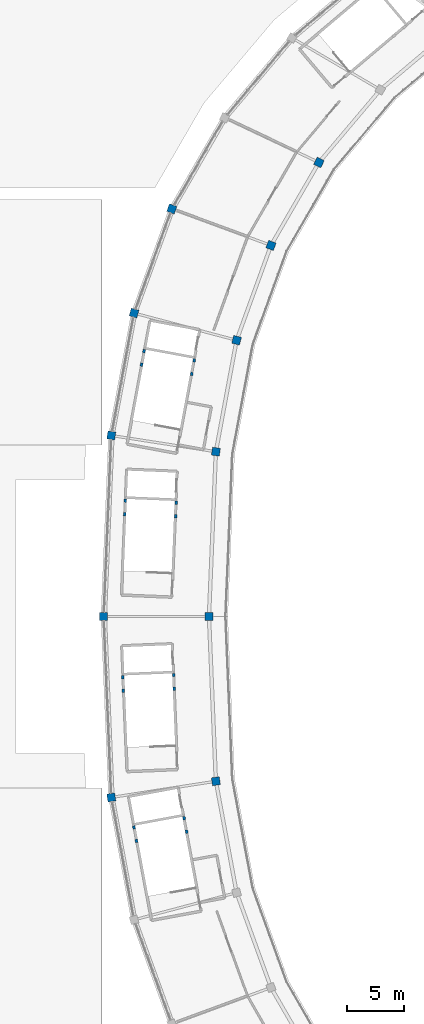
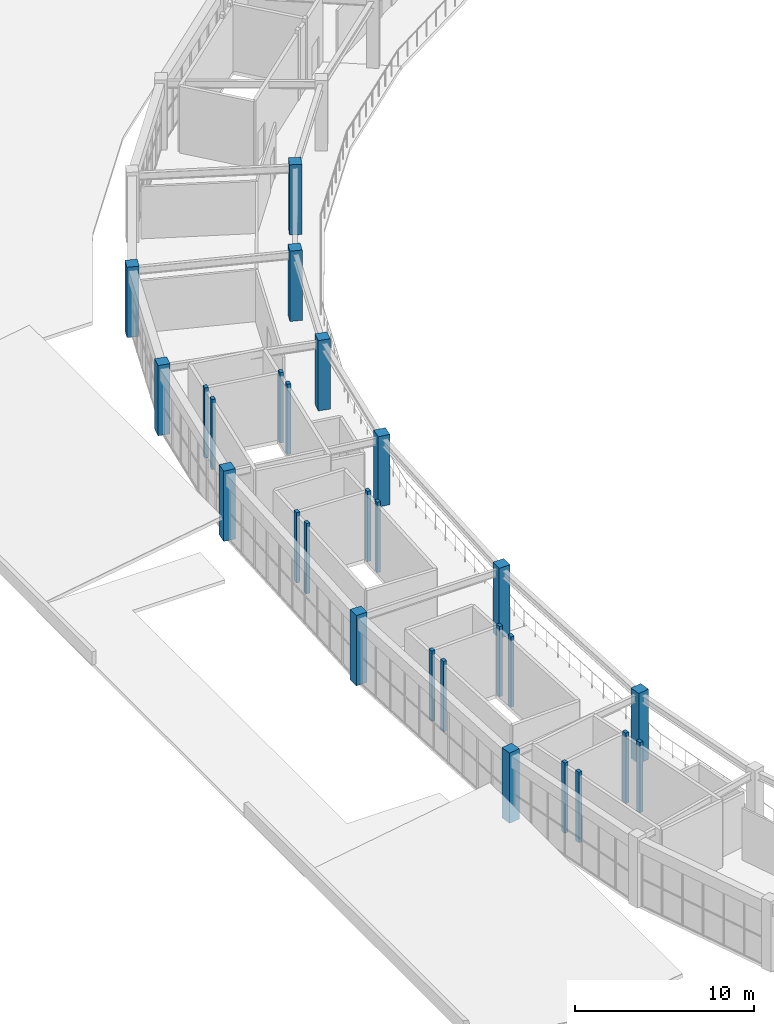
# One storey, part 4 of 45: 27 columns.
"""IFC4 building model written with IfcOpenShell, lengths in metres."""

from ifc_helpers import new_model, si_unit, direction, frame, origin, origin_2d, place, context, subcontext, project, spatial, rectangle, extrude, material, material_profile, profile_set, type_object, element, save


model = new_model("IFC4")

# Units and contexts
model_context = context("Model", 3, precision=1e-05, world=origin(), true_north=direction((0.0, 1.0)))
body_context = subcontext(model_context, "Body", "Model", "MODEL_VIEW")
ifc_project = project(units=[si_unit("LENGTHUNIT", "METRE"), si_unit("AREAUNIT", "SQUARE_METRE"), si_unit("VOLUMEUNIT", "CUBIC_METRE"), si_unit("PLANEANGLEUNIT", "RADIAN"), si_unit("MASSUNIT", "GRAM", prefix="KILO")], contexts=[model_context])

# Site, building, storey
site_placement = place(None, origin())
site = spatial("IfcSite", under=ifc_project, at=site_placement, CompositionType="ELEMENT")
building_placement = place(site_placement, origin())
building = spatial("IfcBuilding", under=site, at=building_placement, Name="Mphavela Belvedere Stadium", CompositionType="ELEMENT")
storey_placement = place(building_placement, frame((0.0, 0.0, 24.0)))
storey = spatial("IfcBuildingStorey", under=building, at=storey_placement, Name="L05", CompositionType="ELEMENT", Elevation=24.0)

# Columns
ifc_material_1 = material(Name="Concrete C40/50", Category="concrete")
ifc_material_profile_1 = material_profile(ifc_material_1, rectangle(XDim=0.300048828125, YDim=0.219970703125, at=origin_2d()), Name="RC 300x220")
ifc_profile_set_1 = profile_set([ifc_material_profile_1], Name="Concrete C40/50")
column_type_1 = type_object("IfcColumnType", Name="COL-CORE-POST-300", PredefinedType="COLUMN", material=ifc_profile_set_1)
for number, where, z_axis, x_axis, name in (
    (1, (19.88623046875, 108.2353515625, 0.0), (0.0, 0.0, 1.0), (0.182578735093, 0.983191235463, 0.0), "Core C06 stair frame column L05-1"),
    (2, (20.105224609375, 109.415283203125, 0.0), (0.0, 0.0, 1.0), (0.182578735093, 0.983191235463, 0.0), "Core C06 stair frame column L05-2"),
    (3, (15.71044921875, 110.231201171875, 0.0), (0.0, 0.0, 1.0), (0.182578735093, 0.983191235463, 0.0), "Core C06 stair frame column L05-3"),
    (4, (15.491455078125, 109.051513671875, 0.0), (0.0, 0.0, 1.0), (0.182578735093, 0.983191235463, 0.0), "Core C06 stair frame column L05-4"),
    (5, (18.47021484375, 95.76318359375, 0.0), (0.0, 0.0, 1.0), (0.041875653729, 0.999122830099, 0.0), "Core C07 stair frame column L05-1"),
    (6, (18.5205078125, 96.96240234375, 0.0), (0.0, 0.0, 1.0), (0.041875653729, 0.999122830099, 0.0), "Core C07 stair frame column L05-2"),
    (7, (14.05419921875, 97.1494140625, 0.0), (0.0, 0.0, 1.0), (0.041875653729, 0.999122830099, 0.0), "Core C07 stair frame column L05-3"),
    (8, (14.004150390625, 95.950439453125, 0.0), (0.0, 0.0, 1.0), (0.041875653729, 0.999122830099, 0.0), "Core C07 stair frame column L05-4"),
    (9, (18.367919921875, 80.674560546875, 0.0), (0.0, 0.0, 1.0), (-0.041875653729, 0.999122830099, 0.0), "Core C08 stair frame column L05-1"),
    (10, (18.317626953125, 81.87353515625, 0.0), (0.0, 0.0, 1.0), (-0.041875653729, 0.999122830099, 0.0), "Core C08 stair frame column L05-2"),
    (11, (13.8515625, 81.686279296875, 0.0), (0.0, 0.0, 1.0), (-0.041875653729, 0.999122830099, 0.0), "Core C08 stair frame column L05-3"),
    (12, (13.90185546875, 80.4873046875, 0.0), (0.0, 0.0, 1.0), (-0.041875653729, 0.999122830099, 0.0), "Core C08 stair frame column L05-4"),
    (13, (19.440673828125, 68.16357421875, 0.0), (0.0, 0.0, 1.0), (-0.182578735093, 0.983191235463, 0.0), "Core C09 stair frame column L05-1"),
    (14, (19.2216796875, 69.343505859375, 0.0), (0.0, 0.0, 1.0), (-0.182578735093, 0.983191235463, 0.0), "Core C09 stair frame column L05-2"),
    (15, (14.82666015625, 68.52734375, 0.0), (0.0, 0.0, 1.0), (-0.182578735093, 0.983191235463, 0.0), "Core C09 stair frame column L05-3"),
    (16, (15.0458984375, 67.347412109375, 0.0), (0.0, 0.0, 1.0), (-0.182578735093, 0.983191235463, 0.0), "Core C09 stair frame column L05-4"),
):
    element("IfcColumn", number, at=place(storey_placement, frame(where, z_axis=z_axis, x_axis=x_axis)), inside=storey, type_object=column_type_1, Name=name, PredefinedType="COLUMN", context=body_context, shape_type="SweptSolid", body=[
        extrude(rectangle(XDim=0.300048828125, YDim=0.219970703125, at=origin_2d()), origin(), (0.0, 0.0, 1.0), 4.800048828125),
    ])
ifc_material_2 = material(Name="Concrete C40/50", Category="concrete")
ifc_material_profile_2 = material_profile(ifc_material_2, rectangle(XDim=0.699951171875, YDim=0.699951171875, at=origin_2d()), Name="RC 700x700")
ifc_profile_set_2 = profile_set([ifc_material_profile_2], Name="Concrete C40/50")
column_type_2 = type_object("IfcColumnType", Name="COL-RC700", PredefinedType="COLUMN", material=ifc_profile_set_2)
for number, where, z_axis, x_axis, name in (
    (17, (31.0244140625, 126.748291015625, 0.0), (0.0, 0.0, 1.0), (-0.903858661687, 0.4278311813, 0.0), "Main bowl column L05 R3-21"),
    (18, (26.824462890625, 119.484375, 0.0), (0.0, 0.0, 1.0), (-0.938372433776, 0.34562577382, 0.0), "Main bowl column L05 R3-22"),
    (19, (18.143798828125, 122.682373046875, 0.0), (0.0, 0.0, 1.0), (-0.938372433776, 0.34562577382, 0.0), "Outer colonnade column L05 R4-22"),
    (20, (23.8125, 111.181884765625, 0.0), (0.0, 0.0, 1.0), (-0.966600102017, 0.256289373133, 0.0), "Main bowl column L05 R3-23"),
    (21, (14.83544921875, 113.5625, 0.0), (0.0, 0.0, 1.0), (-0.966600102017, 0.256289373133, 0.0), "Outer colonnade column L05 R4-23"),
    (22, (22.0, 101.4248046875, 0.0), (0.0, 0.0, 1.0), (-0.98817491911, 0.153330783737, 0.0), "Main bowl column L05 R3-24"),
    (23, (12.844482421875, 102.844970703125, 0.0), (0.0, 0.0, 1.0), (-0.98817491911, 0.153330783737, 0.0), "Outer colonnade column L05 R4-24"),
    (24, (21.39501953125, 87.0, 0.0), (0.0, 0.0, 1.0), (-1.0, 0.0, 0.0), "Main bowl column L05 R3-25"),
    (25, (12.179931640625, 87.0, 0.0), (0.0, 0.0, 1.0), (-1.0, 0.0, 0.0), "Outer colonnade column L05 R4-25"),
    (26, (22.0, 72.5751953125, 0.0), (0.0, 0.0, 1.0), (-0.98817491911, -0.153330783737, 0.0), "Main bowl column L05 R3-26"),
    (27, (12.844482421875, 71.155029296875, 0.0), (0.0, 0.0, 1.0), (-0.98817491911, -0.153330783737, 0.0), "Outer colonnade column L05 R4-26"),
):
    element("IfcColumn", number, at=place(storey_placement, frame(where, z_axis=z_axis, x_axis=x_axis)), inside=storey, type_object=column_type_2, Name=name, PredefinedType="COLUMN", context=body_context, shape_type="SweptSolid", body=[
        extrude(rectangle(XDim=0.699951171875, YDim=0.699951171875, at=origin_2d()), origin(), (0.0, 0.0, 1.0), 4.800048828125),
    ])

save(model, "model.ifc")
